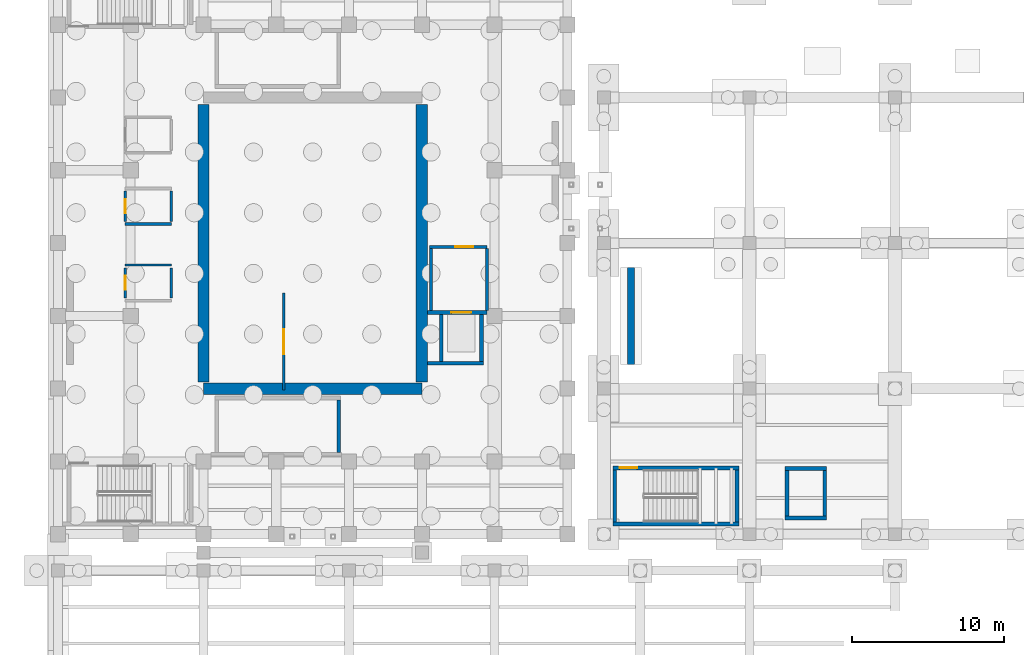
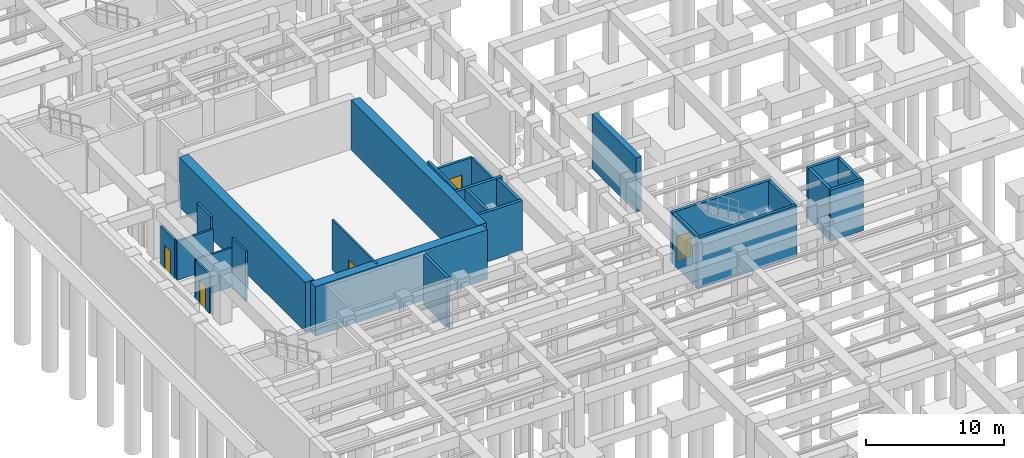
# One storey, part 35 of 56: 27 walls, 6 doors, 6 openings.
"""IFC4 building model written with IfcOpenShell, lengths in metres."""

from ifc_helpers import new_model, si_unit, direction, frame, frame_2d, origin, place, context, subcontext, project, spatial, rectangle, extrude, material, layer, layer_set, type_object, element, fill, save


model = new_model("IFC4")

# Units and contexts
model_context = context("Model", 3, precision=1e-05, world=origin(), true_north=direction((0.0, 1.0)))
body_context = subcontext(model_context, "Body", "Model", "MODEL_VIEW")
ifc_project = project(units=[si_unit("LENGTHUNIT", "METRE"), si_unit("AREAUNIT", "SQUARE_METRE"), si_unit("VOLUMEUNIT", "CUBIC_METRE"), si_unit("PLANEANGLEUNIT", "RADIAN"), si_unit("MASSUNIT", "GRAM", prefix="KILO")], contexts=[model_context])

# Site, building, storey
site_placement = place(None, origin())
site = spatial("IfcSite", under=ifc_project, at=site_placement, CompositionType="ELEMENT")
building_placement = place(site_placement, origin())
building = spatial("IfcBuilding", under=site, at=building_placement, Name="Mavantir Sound Aquarium", CompositionType="ELEMENT")
storey_placement = place(building_placement, frame((0.0, 0.0, -9.60009765625)))
storey = spatial("IfcBuildingStorey", under=building, at=storey_placement, Name="B2", CompositionType="ELEMENT", Elevation=-9.60009765625)

# Wall, opening, door
ifc_material_1 = material(Name="Concrete C40/50", Category="concrete")
ifc_layer_1 = layer(ifc_material_1, 0.199951171875, Name="Concrete C40/50")
ifc_layer_set_1 = layer_set([ifc_layer_1], Name="Concrete C40/50")
wall_type_1 = type_object("IfcWallType", Name="IW-FFL-200", PredefinedType="PARTITIONING", material=ifc_layer_set_1)
wall_1_placement = place(storey_placement, frame((24.5, 59.75, 0.0), z_axis=(0.0, 0.0, 1.0), x_axis=(1.0, 0.0, 0.0)))
wall_1 = element("IfcWall", 1, at=wall_1_placement, inside=storey, type_object=wall_type_1, Name="B2 firefighting lift lobby LC1 wall N", PredefinedType="PARTITIONING", context=body_context, shape_type="SweptSolid", body=[
    extrude(rectangle(XDim=3.800048828125, YDim=0.199951171875, at=frame_2d((1.89990234375, 0.0))), origin(), (0.0, 0.0, 1.0), 3.466064453125),
])
opening_1_placement = place(wall_1_placement, frame((1.699951171875, 0.0, 0.0)))
opening_1 = element("IfcOpeningElement", 2, at=opening_1_placement, cuts=wall_1, Name="Opening FD-01", PredefinedType="OPENING", context=body_context, shape_type="SweptSolid", body=[
    extrude(rectangle(XDim=1.199951171875, YDim=2.199951171875, at=frame_2d((0.60009765625, 1.10009765625))), frame((0.0, 0.10986328125, 0.0), z_axis=(0.0, -1.0, 0.0), x_axis=(1.0, 0.0, 0.0)), (0.0, 0.0, 1.0), 0.219970703125),
])
ifc_material_2 = material(Name="Fire-Rated Steel Lobby Door Leaf", Category="steel")
door_type_1 = type_object("IfcDoorType", Name="DR-FFL-120", OperationType="NOTDEFINED", PredefinedType="DOOR", material=ifc_material_2)
door_1_placement = place(opening_1_placement, origin())
door_1 = element("IfcDoor", 3, at=door_1_placement, inside=storey, type_object=door_type_1, Name="B2 firefighting lobby LC1 accommodation door", OperationType="SINGLE_SWING_LEFT", OverallHeight=2.199951171875, OverallWidth=1.199951171875, PredefinedType="DOOR", context=body_context, shape_type="SweptSolid", body=[
    extrude(rectangle(XDim=1.199951171875, YDim=2.199951171875, at=frame_2d((0.60009765625, 1.10009765625))), frame((0.0, 0.02490234375, 0.0), z_axis=(0.0, -1.0, 0.0), x_axis=(1.0, 0.0, 0.0)), (0.0, 0.0, 1.0), 0.050048828125),
])
fill(opening_1, door_1)

# Walls
wall_2_placement = place(storey_placement, frame((24.60009765625, 55.550048828125, 0.0), z_axis=(0.0, 0.0, 1.0), x_axis=(0.0, 1.0, 0.0)))
element("IfcWall", 4, at=wall_2_placement, inside=storey, type_object=wall_type_1, Name="B2 firefighting lift lobby LC1 wall W", PredefinedType="PARTITIONING", context=body_context, shape_type="SweptSolid", body=[
    extrude(rectangle(XDim=4.099853515625, YDim=0.199951171875, at=frame_2d((2.0498046875, 0.0))), origin(), (0.0, 0.0, 1.0), 4.440185546875),
])
wall_3_placement = place(storey_placement, frame((28.300048828125, 55.550048828125, 0.0), z_axis=(0.0, 0.0, 1.0), x_axis=(0.0, 1.0, 0.0)))
element("IfcWall", 5, at=wall_3_placement, inside=storey, type_object=wall_type_1, Name="B2 firefighting lift lobby LC1 wall E", PredefinedType="PARTITIONING", context=body_context, shape_type="SweptSolid", body=[
    extrude(rectangle(XDim=4.099853515625, YDim=0.199951171875, at=frame_2d((2.0498046875, 0.0))), origin(), (0.0, 0.0, 1.0), 3.466064453125),
])
ifc_material_3 = material(Name="Moisture-Resistant Marine Gypsum Partition", Category="gypsum")
ifc_layer_2 = layer(ifc_material_3, 0.14990234375, Name="Moisture-Resistant Marine Gypsum Partition")
ifc_layer_set_2 = layer_set([ifc_layer_2], Name="Moisture-Resistant Marine Gypsum Partition")
wall_type_2 = type_object("IfcWallType", Name="IW-PART-150", PredefinedType="PARTITIONING", material=ifc_layer_set_2)
wall_4_placement = place(storey_placement, frame((4.43994140625, 58.550048828125, 0.0), z_axis=(0.0, 0.0, 1.0), x_axis=(1.0, 0.0, 0.0)))
element("IfcWall", 6, at=wall_4_placement, inside=storey, type_object=wall_type_2, Name="B2 B2 Mens WC partition N", PredefinedType="PARTITIONING", context=body_context, shape_type="SweptSolid", body=[
    extrude(rectangle(XDim=3.0400390625, YDim=0.14990234375, at=frame_2d((1.52001953125, 0.0))), origin(), (0.0, 0.0, 1.0), 3.466064453125),
])

# Wall, opening, door
wall_5_placement = place(storey_placement, frame((4.43994140625, 56.3798828125, 0.0), z_axis=(0.0, 0.0, 1.0), x_axis=(0.0, 1.0, 0.0)))
wall_5 = element("IfcWall", 7, at=wall_5_placement, inside=storey, type_object=wall_type_2, Name="B2 B2 Mens WC partition W", PredefinedType="PARTITIONING", context=body_context, shape_type="SweptSolid", body=[
    extrude(rectangle(XDim=1.990234375, YDim=0.14990234375, at=frame_2d((0.9951171875, 0.0))), origin(), (0.0, 0.0, 1.0), 3.466064453125),
])
opening_2_placement = place(wall_5_placement, frame((0.534912109375, 0.0, 0.0)))
opening_2 = element("IfcOpeningElement", 8, at=opening_2_placement, cuts=wall_5, Name="Opening ID-01", PredefinedType="OPENING", context=body_context, shape_type="SweptSolid", body=[
    extrude(rectangle(XDim=0.919921875, YDim=2.1201171875, at=frame_2d((0.4599609375, 1.06005859375))), frame((0.0, 0.0849609375, 0.0), z_axis=(0.0, -1.0, 0.0), x_axis=(1.0, 0.0, 0.0)), (0.0, 0.0, 1.0), 0.169921875),
])
ifc_material_4 = material(Name="Solid-Core Marine Hardwood and Vision-Panel Door", Category="wood")
door_type_2 = type_object("IfcDoorType", Name="DR-INT-01", OperationType="NOTDEFINED", PredefinedType="DOOR", material=ifc_material_4)
door_2_placement = place(opening_2_placement, origin())
door_2 = element("IfcDoor", 9, at=door_2_placement, inside=storey, type_object=door_type_2, Name="B2 Mens WC entrance door", OperationType="SINGLE_SWING_RIGHT", OverallHeight=2.1201171875, OverallWidth=0.919921875, PredefinedType="DOOR", context=body_context, shape_type="SweptSolid", body=[
    extrude(rectangle(XDim=0.919921875, YDim=2.1201171875, at=frame_2d((0.4599609375, 1.06005859375))), frame((0.0, 0.02490234375, 0.0), z_axis=(0.0, -1.0, 0.0), x_axis=(1.0, 0.0, 0.0)), (0.0, 0.0, 1.0), 0.050048828125),
])
fill(opening_2, door_2)

# Wall
wall_6_placement = place(storey_placement, frame((7.47998046875, 56.3798828125, 0.0), z_axis=(0.0, 0.0, 1.0), x_axis=(0.0, 1.0, 0.0)))
element("IfcWall", 10, at=wall_6_placement, inside=storey, type_object=wall_type_2, Name="B2 B2 Mens WC partition E", PredefinedType="PARTITIONING", context=body_context, shape_type="SweptSolid", body=[
    extrude(rectangle(XDim=1.990234375, YDim=0.14990234375, at=frame_2d((0.9951171875, 0.0))), origin(), (0.0, 0.0, 1.0), 4.440185546875),
])

# Wall, opening, door
wall_7_placement = place(storey_placement, frame((14.89990234375, 50.300048828125, 0.0), z_axis=(0.0, 0.0, 1.0), x_axis=(0.0, 1.0, 0.0)))
wall_7 = element("IfcWall", 11, at=wall_7_placement, inside=storey, type_object=wall_type_2, Name="B2 Pelagic Tank Deep Sump and Seawater Intake Vault entry partition", PredefinedType="PARTITIONING", context=body_context, shape_type="SweptSolid", body=[
    extrude(rectangle(XDim=6.39990234375, YDim=0.14990234375, at=frame_2d((3.199951171875, 0.0))), origin(), (0.0, 0.0, 1.0), 4.440185546875),
])
opening_3_placement = place(wall_7_placement, frame((2.3798828125, 0.0, 0.0)))
opening_3 = element("IfcOpeningElement", 12, at=opening_3_placement, cuts=wall_7, Name="Opening ID-15", PredefinedType="OPENING", context=body_context, shape_type="SweptSolid", body=[
    extrude(rectangle(XDim=1.639892578125, YDim=2.35009765625, at=frame_2d((0.81982421875, 1.175048828125))), frame((0.0, 0.0849609375, 0.0), z_axis=(0.0, -1.0, 0.0), x_axis=(1.0, 0.0, 0.0)), (0.0, 0.0, 1.0), 0.169921875),
])
door_type_3 = type_object("IfcDoorType", Name="DR-INT-15", OperationType="NOTDEFINED", PredefinedType="DOOR", material=ifc_material_4)
door_3_placement = place(opening_3_placement, origin())
door_3 = element("IfcDoor", 13, at=door_3_placement, inside=storey, type_object=door_type_3, Name="Pelagic Tank Deep Sump and Seawater Intake Vault door", OperationType="SINGLE_SWING_LEFT", OverallHeight=2.35009765625, OverallWidth=1.639892578125, PredefinedType="DOOR", context=body_context, shape_type="SweptSolid", body=[
    extrude(rectangle(XDim=1.639892578125, YDim=2.35009765625, at=frame_2d((0.81982421875, 1.175048828125))), frame((0.0, 0.02490234375, 0.0), z_axis=(0.0, -1.0, 0.0), x_axis=(1.0, 0.0, 0.0)), (0.0, 0.0, 1.0), 0.050048828125),
])
fill(opening_3, door_3)

# Wall
ifc_material_5 = material(Name="Acoustic Metal-Stud Gypsum Partition", Category="gypsum")
ifc_layer_3 = layer(ifc_material_5, 0.179931640625, Name="Acoustic Metal-Stud Gypsum Partition")
ifc_layer_set_3 = layer_set([ifc_layer_3], Name="Acoustic Metal-Stud Gypsum Partition")
wall_type_3 = type_object("IfcWallType", Name="IW-PART-180", PredefinedType="PARTITIONING", material=ifc_layer_set_3)
wall_8_placement = place(storey_placement, frame((4.43994140625, 61.25, 0.0), z_axis=(0.0, 0.0, 1.0), x_axis=(1.0, 0.0, 0.0)))
element("IfcWall", 14, at=wall_8_placement, inside=storey, type_object=wall_type_3, Name="B2 B2 Womens WC partition S", PredefinedType="PARTITIONING", context=body_context, shape_type="SweptSolid", body=[
    extrude(rectangle(XDim=3.0400390625, YDim=0.179931640625, at=frame_2d((1.52001953125, 0.0))), origin(), (0.0, 0.0, 1.0), 3.466064453125),
])

# Wall, opening, door
wall_9_placement = place(storey_placement, frame((4.43994140625, 61.429931640625, 0.0), z_axis=(0.0, 0.0, 1.0), x_axis=(0.0, 1.0, 0.0)))
wall_9 = element("IfcWall", 15, at=wall_9_placement, inside=storey, type_object=wall_type_3, Name="B2 B2 Womens WC partition W", PredefinedType="PARTITIONING", context=body_context, shape_type="SweptSolid", body=[
    extrude(rectangle(XDim=1.989990234375, YDim=0.179931640625, at=frame_2d((0.9951171875, 0.0))), origin(), (0.0, 0.0, 1.0), 3.466064453125),
])
opening_4_placement = place(wall_9_placement, frame((0.534912109375, 0.0, 0.0)))
opening_4 = element("IfcOpeningElement", 16, at=opening_4_placement, cuts=wall_9, Name="Opening ID-01", PredefinedType="OPENING", context=body_context, shape_type="SweptSolid", body=[
    extrude(rectangle(XDim=0.919921875, YDim=2.1201171875, at=frame_2d((0.4599609375, 1.06005859375))), frame((0.0, 0.10009765625, 0.0), z_axis=(0.0, -1.0, 0.0), x_axis=(1.0, 0.0, 0.0)), (0.0, 0.0, 1.0), 0.199951171875),
])
door_4_placement = place(opening_4_placement, origin())
door_4 = element("IfcDoor", 17, at=door_4_placement, inside=storey, type_object=door_type_2, Name="B2 Womens WC entrance door", OperationType="SINGLE_SWING_LEFT", OverallHeight=2.1201171875, OverallWidth=0.919921875, PredefinedType="DOOR", context=body_context, shape_type="SweptSolid", body=[
    extrude(rectangle(XDim=0.919921875, YDim=2.1201171875, at=frame_2d((0.4599609375, 1.06005859375))), frame((0.0, 0.02490234375, 0.0), z_axis=(0.0, -1.0, 0.0), x_axis=(1.0, 0.0, 0.0)), (0.0, 0.0, 1.0), 0.050048828125),
])
fill(opening_4, door_4)

# Walls
wall_10_placement = place(storey_placement, frame((7.47998046875, 61.429931640625, 0.0), z_axis=(0.0, 0.0, 1.0), x_axis=(0.0, 1.0, 0.0)))
element("IfcWall", 18, at=wall_10_placement, inside=storey, type_object=wall_type_3, Name="B2 B2 Womens WC partition E", PredefinedType="PARTITIONING", context=body_context, shape_type="SweptSolid", body=[
    extrude(rectangle(XDim=1.989990234375, YDim=0.179931640625, at=frame_2d((0.9951171875, 0.0))), origin(), (0.0, 0.0, 1.0), 4.440185546875),
])
ifc_layer_4 = layer(ifc_material_1, 0.25, Name="Concrete C40/50")
ifc_layer_set_4 = layer_set([ifc_layer_4], Name="Concrete C40/50")
wall_type_4 = type_object("IfcWallType", Name="IW-SHAFT-250", PredefinedType="SHEAR", material=ifc_layer_set_4)
wall_11_placement = place(storey_placement, frame((18.52490234375, 46.199951171875, 0.0), z_axis=(0.0, 0.0, 1.0), x_axis=(0.0, 1.0, 0.0)))
element("IfcWall", 19, at=wall_11_placement, inside=storey, type_object=wall_type_4, Name="B2 stair ST9 shaft wall E", PredefinedType="SHEAR", context=body_context, shape_type="SweptSolid", body=[
    extrude(rectangle(XDim=3.449951171875, YDim=0.25, at=frame_2d((1.72509765625, 0.0))), origin(), (0.0, 0.0, 1.0), 4.400146484375),
])
wall_12_placement = place(storey_placement, frame((36.60009765625, 41.47509765625, 0.0), z_axis=(0.0, 0.0, 1.0), x_axis=(1.0, 0.0, 0.0)))
element("IfcWall", 20, at=wall_12_placement, inside=storey, type_object=wall_type_4, Name="B2 stair ST8 shaft wall S", PredefinedType="SHEAR", context=body_context, shape_type="SweptSolid", body=[
    extrude(rectangle(XDim=8.2998046875, YDim=0.25, at=frame_2d((4.14990234375, 0.0))), origin(), (0.0, 0.0, 1.0), 4.5),
])

# Wall, opening, door
wall_13_placement = place(storey_placement, frame((44.89990234375, 45.175048828125, 0.0), z_axis=(0.0, 0.0, 1.0), x_axis=(-1.0, 0.0, 0.0)))
wall_13 = element("IfcWall", 21, at=wall_13_placement, inside=storey, type_object=wall_type_4, Name="B2 stair ST8 shaft wall N", PredefinedType="SHEAR", context=body_context, shape_type="SweptSolid", body=[
    extrude(rectangle(XDim=8.2998046875, YDim=0.25, at=frame_2d((4.14990234375, 0.0))), origin(), (0.0, 0.0, 1.0), 4.5),
])
opening_5_placement = place(wall_13_placement, frame((7.849853515625, 0.0, 0.0), z_axis=(0.0, 0.0, 1.0), x_axis=(-1.0, 0.0, 0.0)))
opening_5 = element("IfcOpeningElement", 22, at=opening_5_placement, cuts=wall_13, Name="Opening SD-02", PredefinedType="OPENING", context=body_context, shape_type="SweptSolid", body=[
    extrude(rectangle(XDim=1.14990234375, YDim=2.199951171875, at=frame_2d((0.574951171875, 1.10009765625))), frame((0.0, 0.135009765625, 0.0), z_axis=(0.0, -1.0, 0.0), x_axis=(1.0, 0.0, 0.0)), (0.0, 0.0, 1.0), 0.27001953125),
])
ifc_material_6 = material(Name="Fire-Rated Steel Acoustic Door Leaf", Category="steel")
door_type_4 = type_object("IfcDoorType", Name="DR-ST-115", OperationType="NOTDEFINED", PredefinedType="DOOR", material=ifc_material_6)
door_5_placement = place(opening_5_placement, origin())
door_5 = element("IfcDoor", 23, at=door_5_placement, inside=storey, type_object=door_type_4, Name="B2 protected exit stair ST8 door", OperationType="SINGLE_SWING_LEFT", OverallHeight=2.199951171875, OverallWidth=1.14990234375, PredefinedType="DOOR", context=body_context, shape_type="SweptSolid", body=[
    extrude(rectangle(XDim=1.14990234375, YDim=2.199951171875, at=frame_2d((0.574951171875, 1.10009765625))), frame((0.0, 0.02490234375, 0.0), z_axis=(0.0, -1.0, 0.0), x_axis=(1.0, 0.0, 0.0)), (0.0, 0.0, 1.0), 0.050048828125),
])
fill(opening_5, door_5)

# Walls
for number, where, z_axis, x_axis, name in (
    (24, (36.72509765625, 45.050048828125, 0.0), (0.0, 0.0, 1.0), (0.0, -1.0, 0.0), "B2 stair ST8 shaft wall W"),
    (25, (44.77490234375, 41.60009765625, 0.0), (0.0, 0.0, 1.0), (0.0, 1.0, 0.0), "B2 stair ST8 shaft wall E"),
):
    element("IfcWall", number, at=place(storey_placement, frame(where, z_axis=z_axis, x_axis=x_axis)), inside=storey, type_object=wall_type_4, Name=name, PredefinedType="SHEAR", context=body_context, shape_type="SweptSolid", body=[
        extrude(rectangle(XDim=3.449951171875, YDim=0.25, at=frame_2d((1.72509765625, 0.0))), origin(), (0.0, 0.0, 1.0), 4.5),
    ])
wall_14_placement = place(storey_placement, frame((24.375, 52.074951171875, 0.0), z_axis=(0.0, 0.0, 1.0), x_axis=(1.0, 0.0, 0.0)))
element("IfcWall", 26, at=wall_14_placement, inside=storey, type_object=wall_type_4, Name="B2 lift LC1 shaft wall S", PredefinedType="SHEAR", context=body_context, shape_type="SweptSolid", body=[
    extrude(rectangle(XDim=3.675048828125, YDim=0.25, at=frame_2d((1.83740234375, 0.0))), origin(), (0.0, 0.0, 1.0), 4.400146484375),
])

# Wall, opening, door
wall_15_placement = place(storey_placement, frame((24.375, 55.425048828125, 0.0), z_axis=(0.0, 0.0, 1.0), x_axis=(1.0, 0.0, 0.0)))
wall_15 = element("IfcWall", 27, at=wall_15_placement, inside=storey, type_object=wall_type_4, Name="B2 lift LC1 shaft wall N", PredefinedType="SHEAR", context=body_context, shape_type="SweptSolid", body=[
    extrude(rectangle(XDim=3.925048828125, YDim=0.25, at=frame_2d((1.96240234375, 0.0))), origin(), (0.0, 0.0, 1.0), 4.400146484375),
])
opening_6_placement = place(wall_15_placement, frame((1.574951171875, 0.0, 0.0)))
opening_6 = element("IfcOpeningElement", 28, at=opening_6_placement, cuts=wall_15, Name="Opening LD-01", PredefinedType="OPENING", context=body_context, shape_type="SweptSolid", body=[
    extrude(rectangle(XDim=1.300048828125, YDim=2.199951171875, at=frame_2d((0.64990234375, 1.10009765625))), frame((0.0, 0.135009765625, 0.0), z_axis=(0.0, -1.0, 0.0), x_axis=(1.0, 0.0, 0.0)), (0.0, 0.0, 1.0), 0.27001953125),
])
ifc_material_7 = material(Name="Stainless Steel 316 Sliding Lift Landing Door", Category="steel")
door_type_5 = type_object("IfcDoorType", Name="DR-LD-130", OperationType="NOTDEFINED", PredefinedType="DOOR", material=ifc_material_7)
door_6_placement = place(opening_6_placement, origin())
door_6 = element("IfcDoor", 29, at=door_6_placement, inside=storey, type_object=door_type_5, Name="Lift LC1 sliding landing door (B2)", OperationType="DOUBLE_DOOR_SLIDING", OverallHeight=2.199951171875, OverallWidth=1.300048828125, PredefinedType="DOOR", context=body_context, shape_type="SweptSolid", body=[
    extrude(rectangle(XDim=1.300048828125, YDim=2.199951171875, at=frame_2d((0.64990234375, 1.10009765625))), frame((0.0, 0.02490234375, 0.0), z_axis=(0.0, -1.0, 0.0), x_axis=(1.0, 0.0, 0.0)), (0.0, 0.0, 1.0), 0.050048828125),
])
fill(opening_6, door_6)

# Walls
for number, where, z_axis, x_axis, name in (
    (30, (25.27490234375, 52.199951171875, 0.0), (0.0, 0.0, 1.0), (0.0, 1.0, 0.0), "B2 lift LC1 shaft wall W"),
    (31, (27.925048828125, 52.199951171875, 0.0), (0.0, 0.0, 1.0), (0.0, 1.0, 0.0), "B2 lift LC1 shaft wall E"),
):
    element("IfcWall", number, at=place(storey_placement, frame(where, z_axis=z_axis, x_axis=x_axis)), inside=storey, type_object=wall_type_4, Name=name, PredefinedType="SHEAR", context=body_context, shape_type="SweptSolid", body=[
        extrude(rectangle(XDim=3.10009765625, YDim=0.25, at=frame_2d((1.550048828125, 0.0))), origin(), (0.0, 0.0, 1.0), 4.400146484375),
    ])
for number, where, z_axis, x_axis, name in (
    (32, (47.949951171875, 41.875, 0.0), (0.0, 0.0, 1.0), (1.0, 0.0, 0.0), "B2 lift LC5 shaft wall S"),
    (33, (47.949951171875, 45.125, 0.0), (0.0, 0.0, 1.0), (1.0, 0.0, 0.0), "B2 lift LC5 shaft wall N"),
):
    element("IfcWall", number, at=place(storey_placement, frame(where, z_axis=z_axis, x_axis=x_axis)), inside=storey, type_object=wall_type_4, Name=name, PredefinedType="SHEAR", context=body_context, shape_type="SweptSolid", body=[
        extrude(rectangle(XDim=2.75, YDim=0.25, at=frame_2d((1.375, 0.0))), origin(), (0.0, 0.0, 1.0), 4.5),
    ])
for number, where, z_axis, x_axis, name in (
    (34, (48.074951171875, 42.0, 0.0), (0.0, 0.0, 1.0), (0.0, 1.0, 0.0), "B2 lift LC5 shaft wall W"),
    (35, (50.574951171875, 42.0, 0.0), (0.0, 0.0, 1.0), (0.0, 1.0, 0.0), "B2 lift LC5 shaft wall E"),
):
    element("IfcWall", number, at=place(storey_placement, frame(where, z_axis=z_axis, x_axis=x_axis)), inside=storey, type_object=wall_type_4, Name=name, PredefinedType="SHEAR", context=body_context, shape_type="SweptSolid", body=[
        extrude(rectangle(XDim=3.0, YDim=0.25, at=frame_2d((1.5, 0.0))), origin(), (0.0, 0.0, 1.0), 4.5),
    ])
ifc_layer_5 = layer(ifc_material_1, 0.449951171875, Name="Concrete C40/50")
ifc_layer_set_5 = layer_set([ifc_layer_5], Name="Concrete C40/50")
wall_type_5 = type_object("IfcWallType", Name="SW-SHR-450", PredefinedType="SHEAR", material=ifc_layer_set_5)
wall_16_placement = place(storey_placement, frame((37.800048828125, 52.0, 0.0), z_axis=(0.0, 0.0, 1.0), x_axis=(0.0, 1.0, 0.0)))
element("IfcWall", 36, at=wall_16_placement, inside=storey, type_object=wall_type_5, Name="B2 special RC shear wall 13 (V2)", PredefinedType="SHEAR", context=body_context, shape_type="SweptSolid", body=[
    extrude(rectangle(XDim=6.39990234375, YDim=0.449951171875, at=frame_2d((3.199951171875, 0.0))), origin(), (0.0, 0.0, 1.0), 4.800048828125),
])
ifc_material_8 = material(Name="Concrete C45/55", Category="concrete")
ifc_layer_6 = layer(ifc_material_8, 0.75, Name="Concrete C45/55")
ifc_layer_set_6 = layer_set([ifc_layer_6], Name="Concrete C45/55")
wall_type_6 = type_object("IfcWallType", Name="SW-TANK-750", PredefinedType="SOLIDWALL", material=ifc_layer_set_6)
wall_17_placement = place(storey_placement, frame((9.60009765625, 50.39990234375, 0.0), z_axis=(0.0, 0.0, 1.0), x_axis=(1.0, 0.0, 0.0)))
element("IfcWall", 37, at=wall_17_placement, inside=storey, type_object=wall_type_6, Name="B2 Pelagic Ocean Tank wall S", PredefinedType="SOLIDWALL", context=body_context, shape_type="SweptSolid", body=[
    extrude(rectangle(XDim=14.39990234375, YDim=0.75, at=frame_2d((7.199951171875, 0.0))), origin(), (0.0, 0.0, 1.0), 4.400146484375),
])
for number, where, z_axis, x_axis, name in (
    (38, (24.0, 50.85009765625, 0.0), (0.0, 0.0, 1.0), (0.0, 1.0, 0.0), "B2 Pelagic Ocean Tank wall E"),
    (39, (9.60009765625, 69.14990234375, 0.0), (0.0, 0.0, 1.0), (0.0, -1.0, 0.0), "B2 Pelagic Ocean Tank wall W"),
):
    element("IfcWall", number, at=place(storey_placement, frame(where, z_axis=z_axis, x_axis=x_axis)), inside=storey, type_object=wall_type_6, Name=name, PredefinedType="SOLIDWALL", context=body_context, shape_type="SweptSolid", body=[
        extrude(rectangle(XDim=18.2998046875, YDim=0.75, at=frame_2d((9.14990234375, 0.0))), origin(), (0.0, 0.0, 1.0), 4.400146484375),
    ])

save(model, "model.ifc")
